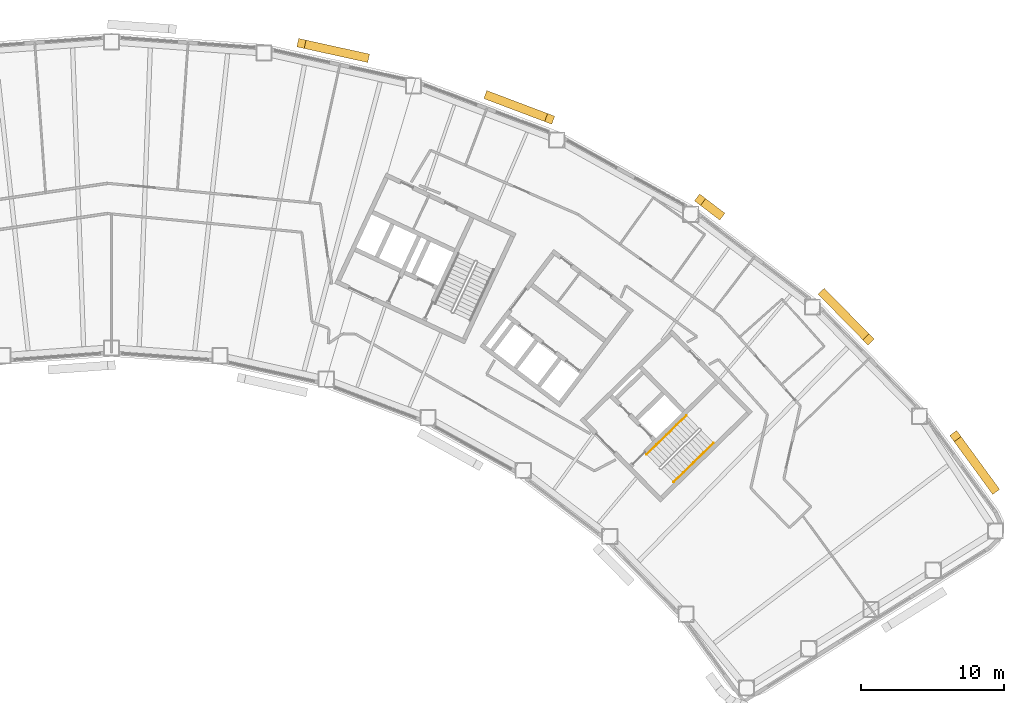
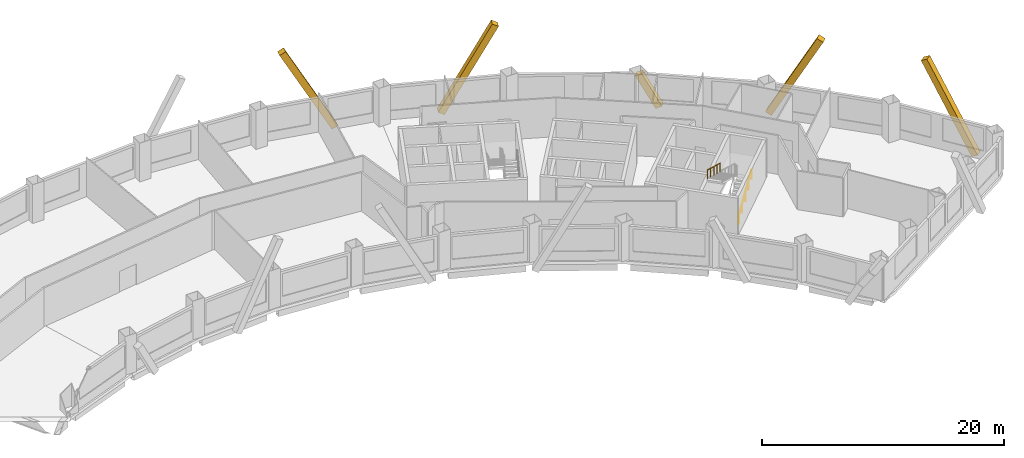
# One storey, part 11 of 11: 5 coverings, 2 railings.
"""IFC4 building model written with IfcOpenShell, lengths in metres."""

from ifc_helpers import new_model, si_unit, direction, frame, origin, origin_2d, place, context, subcontext, project, spatial, rectangle, circle, extrude, material, material_profile, profile_set, type_object, element, save


model = new_model("IFC4")

# Units and contexts
model_context = context("Model", 3, precision=1e-05, world=origin(), true_north=direction((0.0, 1.0)))
body_context = subcontext(model_context, "Body", "Model", "MODEL_VIEW")
ifc_project = project(units=[si_unit("LENGTHUNIT", "METRE"), si_unit("AREAUNIT", "SQUARE_METRE"), si_unit("VOLUMEUNIT", "CUBIC_METRE"), si_unit("PLANEANGLEUNIT", "RADIAN"), si_unit("MASSUNIT", "GRAM", prefix="KILO")], contexts=[model_context])

# Site, building, storey
site_placement = place(None, origin())
site = spatial("IfcSite", under=ifc_project, at=site_placement, CompositionType="ELEMENT")
building_placement = place(site_placement, origin())
building = spatial("IfcBuilding", under=site, at=building_placement, Name="Tuul Gate Civic Tower", CompositionType="ELEMENT")
storey_placement = place(building_placement, frame((0.0, 0.0, 107.699951171875)))
storey = spatial("IfcBuildingStorey", under=building, at=storey_placement, Name="Level 24", CompositionType="ELEMENT", Elevation=107.699951171875)

# Railings
ifc_material_1 = material(Name="Painted steel", Category="steel")
railing_type = type_object("IfcRailingType", Name="Stair handrail", PredefinedType="HANDRAIL", material=ifc_material_1)
railing_1_placement = place(storey_placement, frame((49.05126953125, -17.028076171875, 0.150146484375)))
element("IfcRailing", 1, at=railing_1_placement, inside=storey, type_object=railing_type, Name="Level 24 ST-3 stair handrail 1", PredefinedType="HANDRAIL", context=body_context, shape_type="SweptSolid", body=[
    extrude(circle(Radius=0.02392578125, at=origin_2d()), frame((0.0, 0.0, 0.8759765625), z_axis=(0.638753653487, 0.626099522554, 0.447205945863), x_axis=(-0.699997553204, 0.714145241186, 0.0)), (0.0, 0.0, 1.0), 4.3603515625),
    extrude(circle(Radius=0.02099609375, at=origin_2d()), origin(), (0.0, 0.0, 1.0), 0.851806640625),
    extrude(circle(Radius=0.02099609375, at=origin_2d()), frame((0.6962890625, 0.6826171875, 0.487548828125)), (0.0, 0.0, 1.0), 0.851806640625),
    extrude(circle(Radius=0.02099609375, at=origin_2d()), frame((1.392578125, 1.364990234375, 0.97509765625)), (0.0, 0.0, 1.0), 0.851806640625),
    extrude(circle(Radius=0.02099609375, at=origin_2d()), frame((2.0888671875, 2.04736328125, 1.46240234375)), (0.0, 0.0, 1.0), 0.851806640625),
    extrude(circle(Radius=0.02099609375, at=origin_2d()), frame((2.78515625, 2.72998046875, 1.949951171875)), (0.0, 0.0, 1.0), 0.851806640625),
])
railing_2_placement = place(storey_placement, frame((49.9462890625, -12.369873046875, 2.25)))
element("IfcRailing", 2, at=railing_2_placement, inside=storey, type_object=railing_type, Name="Level 24 ST-3 stair handrail 2", PredefinedType="HANDRAIL", context=body_context, shape_type="SweptSolid", body=[
    extrude(circle(Radius=0.02392578125, at=origin_2d()), frame((0.0, 0.0, 0.8759765625), z_axis=(-0.638753653487, -0.626099522554, 0.447205945863), x_axis=(0.699997553204, -0.714145241186, 0.0)), (0.0, 0.0, 1.0), 4.3603515625),
    extrude(circle(Radius=0.02099609375, at=origin_2d()), origin(), (0.0, 0.0, 1.0), 0.851806640625),
    extrude(circle(Radius=0.02099609375, at=origin_2d()), frame((-0.6962890625, -0.6826171875, 0.487548828125)), (0.0, 0.0, 1.0), 0.851806640625),
    extrude(circle(Radius=0.02099609375, at=origin_2d()), frame((-1.392578125, -1.364990234375, 0.97509765625)), (0.0, 0.0, 1.0), 0.851806640625),
    extrude(circle(Radius=0.02099609375, at=origin_2d()), frame((-2.0888671875, -2.04736328125, 1.46240234375)), (0.0, 0.0, 1.0), 0.851806640625),
    extrude(circle(Radius=0.02099609375, at=origin_2d()), frame((-2.78515625, -2.72998046875, 1.949951171875)), (0.0, 0.0, 1.0), 0.851806640625),
])

# Coverings
ifc_material_2 = material(Name="Terracotta baguette", Category="masonry")
ifc_material_profile = material_profile(ifc_material_2, rectangle(XDim=0.60009765625, YDim=0.60009765625, at=origin_2d()), Name="Terracotta baguette screen frame")
ifc_profile_set = profile_set([ifc_material_profile], Name="Terracotta baguette")
covering_type = type_object("IfcCoveringType", Name="Terracotta baguette screen frame", PredefinedType="CLADDING", material=ifc_profile_set)
covering_1_placement = place(storey_placement, frame((71.388427734375, -17.49755859375, -0.349853515625), z_axis=(-0.281370554037, 0.385233710888, 0.878877465473), x_axis=(-0.807537279361, -0.589816532866, 0.0)))
element("IfcCovering", 3, at=covering_1_placement, inside=storey, type_object=covering_type, Name="Baguette 18", PredefinedType="CLADDING", context=body_context, shape_type="SweptSolid", body=[
    extrude(rectangle(XDim=0.60009765625, YDim=0.60009765625, at=origin_2d()), origin(), (0.0, 0.0, 1.0), 9.5576171875),
])
covering_2_placement = place(storey_placement, frame((62.63427734375, -7.07666015625, 8.050048828125), z_axis=(-0.332609882094, 0.339342981316, -0.879896020769), x_axis=(-0.714156278257, -0.699986292885, 0.0)))
element("IfcCovering", 4, at=covering_2_placement, inside=storey, type_object=covering_type, Name="Baguette 27", PredefinedType="CLADDING", context=body_context, shape_type="SweptSolid", body=[
    extrude(rectangle(XDim=0.60009765625, YDim=0.60009765625, at=origin_2d()), origin(), (0.0, 0.0, 1.0), 9.35498046875),
])
covering_3_placement = place(storey_placement, frame((52.23193359375, 1.649169921875, -0.349853515625), z_axis=(-0.37802647265, 0.287849975901, 0.879908164157), x_axis=(-0.605816557049, -0.795604360977, 0.0)))
element("IfcCovering", 5, at=covering_3_placement, inside=storey, type_object=covering_type, Name="Baguette 39", PredefinedType="CLADDING", context=body_context, shape_type="SweptSolid", body=[
    extrude(rectangle(XDim=0.60009765625, YDim=0.60009765625, at=origin_2d()), origin(), (0.0, 0.0, 1.0), 3.552001953125),
])
for number, where, z_axis, x_axis, name in (
    (6, (40.397705078125, 8.310546875, 8.050048828125), (-0.444450917783, 0.168046894571, -0.879899780036), (-0.353664314999, -0.935372413692, 0.0), "Baguette 51"),
    (7, (27.510986328125, 12.593505859375, -0.349853515625), (-0.464037985813, 0.102244357524, 0.879894788641), (-0.215174921103, -0.976575523617, 0.0), "Baguette 60"),
):
    element("IfcCovering", number, at=place(storey_placement, frame(where, z_axis=z_axis, x_axis=x_axis)), inside=storey, type_object=covering_type, Name=name, PredefinedType="CLADDING", context=body_context, shape_type="SweptSolid", body=[
        extrude(rectangle(XDim=0.60009765625, YDim=0.60009765625, at=origin_2d()), origin(), (0.0, 0.0, 1.0), 9.54638671875),
    ])

save(model, "model.ifc")
